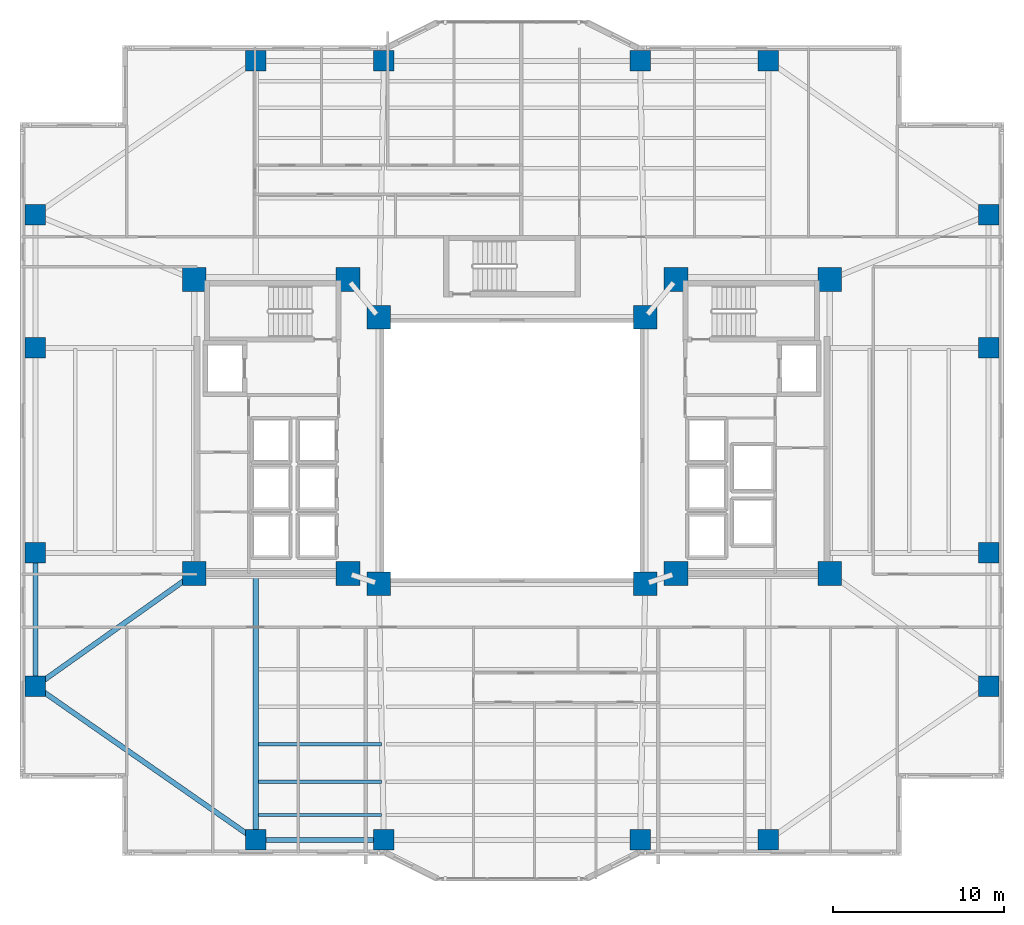
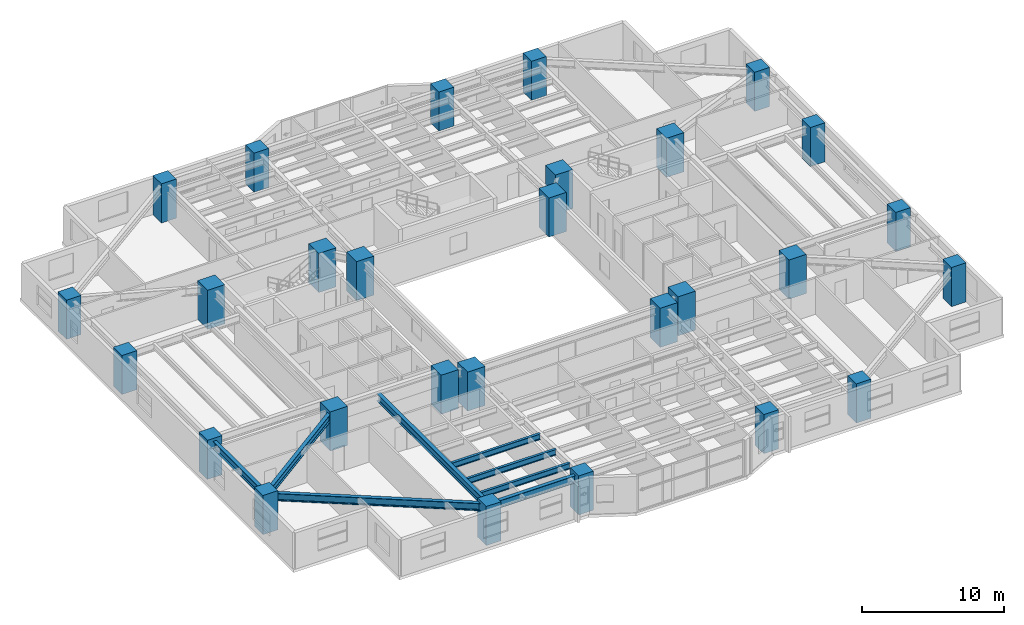
# One storey, part 1 of 19: 28 columns, 8 beams.
"""IFC4 building model written with IfcOpenShell, lengths in metres."""

from ifc_helpers import new_model, si_unit, direction, frame, origin, origin_2d, place, context, subcontext, project, spatial, rectangle, i_section, extrude, material, material_profile, profile_set, type_object, element, save


model = new_model("IFC4")

# Units and contexts
model_context = context("Model", 3, precision=1e-05, world=origin(), true_north=direction((0.0, 1.0)))
body_context = subcontext(model_context, "Body", "Model", "MODEL_VIEW")
ifc_project = project(units=[si_unit("LENGTHUNIT", "METRE"), si_unit("AREAUNIT", "SQUARE_METRE"), si_unit("VOLUMEUNIT", "CUBIC_METRE"), si_unit("PLANEANGLEUNIT", "RADIAN"), si_unit("MASSUNIT", "GRAM", prefix="KILO")], contexts=[model_context])

# Site, building, storey
site_placement = place(None, origin())
site = spatial("IfcSite", under=ifc_project, at=site_placement, CompositionType="ELEMENT")
building_placement = place(site_placement, origin())
building = spatial("IfcBuilding", under=site, at=building_placement, Name="Tarnavaz Court Tower", CompositionType="ELEMENT")
storey_placement = place(building_placement, frame((0.0, 0.0, 54.14990234375)))
storey = spatial("IfcBuildingStorey", under=building, at=storey_placement, Name="L14", CompositionType="ELEMENT", Elevation=54.14990234375)

# Columns
ifc_material_1 = material(Name="Concrete C60/75", Category="concrete")
ifc_material_profile_1 = material_profile(ifc_material_1, rectangle(XDim=1.199951171875, YDim=1.199951171875, at=origin_2d()), Name="RC 1200X1200")
ifc_profile_set_1 = profile_set([ifc_material_profile_1], Name="Concrete C60/75")
column_type_1 = type_object("IfcColumnType", Name="CL-RC1200", PredefinedType="COLUMN", material=ifc_profile_set_1)
for number, where, z_axis, x_axis, name in (
    (1, (-15.0, 22.800048828125, 0.0), (0.0, 0.0, 1.0), (1.0, 0.0, 0.0), "L14 Column PN-1"),
    (2, (-7.5, 22.800048828125, 0.0), (0.0, 0.0, 1.0), (1.0, 0.0, 0.0), "L14 Column PN-2"),
    (3, (7.5, 22.800048828125, 0.0), (0.0, 0.0, 1.0), (1.0, 0.0, 0.0), "L14 Column PN-3"),
    (4, (15.0, 22.800048828125, 0.0), (0.0, 0.0, 1.0), (1.0, 0.0, 0.0), "L14 Column PN-4"),
    (5, (-15.0, -22.800048828125, 0.0), (0.0, 0.0, 1.0), (1.0, 0.0, 0.0), "L14 Column PS-1"),
    (6, (-7.5, -22.800048828125, 0.0), (0.0, 0.0, 1.0), (1.0, 0.0, 0.0), "L14 Column PS-2"),
    (7, (7.5, -22.800048828125, 0.0), (0.0, 0.0, 1.0), (1.0, 0.0, 0.0), "L14 Column PS-3"),
    (8, (15.0, -22.800048828125, 0.0), (0.0, 0.0, 1.0), (1.0, 0.0, 0.0), "L14 Column PS-4"),
    (9, (27.89990234375, -13.800048828125, 0.0), (0.0, 0.0, 1.0), (1.0, 0.0, 0.0), "L14 Column PE-1"),
    (10, (27.89990234375, -6.0, 0.0), (0.0, 0.0, 1.0), (1.0, 0.0, 0.0), "L14 Column PE-2"),
    (11, (27.89990234375, 6.0, 0.0), (0.0, 0.0, 1.0), (1.0, 0.0, 0.0), "L14 Column PE-3"),
    (12, (27.89990234375, 13.800048828125, 0.0), (0.0, 0.0, 1.0), (1.0, 0.0, 0.0), "L14 Column PE-4"),
    (13, (-27.89990234375, -13.800048828125, 0.0), (0.0, 0.0, 1.0), (1.0, 0.0, 0.0), "L14 Column PW-1"),
    (14, (-27.89990234375, -6.0, 0.0), (0.0, 0.0, 1.0), (1.0, 0.0, 0.0), "L14 Column PW-2"),
    (15, (-27.89990234375, 6.0, 0.0), (0.0, 0.0, 1.0), (1.0, 0.0, 0.0), "L14 Column PW-3"),
    (16, (-27.89990234375, 13.800048828125, 0.0), (0.0, 0.0, 1.0), (1.0, 0.0, 0.0), "L14 Column PW-4"),
):
    element("IfcColumn", number, at=place(storey_placement, frame(where, z_axis=z_axis, x_axis=x_axis)), inside=storey, type_object=column_type_1, Name=name, PredefinedType="COLUMN", context=body_context, shape_type="SweptSolid", body=[
        extrude(rectangle(XDim=1.199951171875, YDim=1.199951171875, at=origin_2d()), origin(), (0.0, 0.0, 1.0), 3.35009765625),
    ])
ifc_material_profile_2 = material_profile(ifc_material_1, rectangle(XDim=1.39990234375, YDim=1.39990234375, at=origin_2d()), Name="RC 1400X1400")
ifc_profile_set_2 = profile_set([ifc_material_profile_2], Name="Concrete C60/75")
column_type_2 = type_object("IfcColumnType", Name="CL-RC1400", PredefinedType="COLUMN", material=ifc_profile_set_2)
for number, where, z_axis, x_axis, name in (
    (17, (-7.800048828125, -7.800048828125, 0.0), (0.0, 0.0, 1.0), (1.0, 0.0, 0.0), "L14 Column IW-SW"),
    (18, (7.800048828125, -7.800048828125, 0.0), (0.0, 0.0, 1.0), (1.0, 0.0, 0.0), "L14 Column IW-SE"),
    (19, (-7.800048828125, 7.800048828125, 0.0), (0.0, 0.0, 1.0), (1.0, 0.0, 0.0), "L14 Column IW-NW"),
    (20, (7.800048828125, 7.800048828125, 0.0), (0.0, 0.0, 1.0), (1.0, 0.0, 0.0), "L14 Column IW-NE"),
    (21, (-9.60009765625, -7.199951171875, 0.0), (0.0, 0.0, 1.0), (1.0, 0.0, 0.0), "L14 Column CW-SI"),
    (22, (-9.60009765625, 10.0, 0.0), (0.0, 0.0, 1.0), (1.0, 0.0, 0.0), "L14 Column CW-NI"),
    (23, (9.60009765625, -7.199951171875, 0.0), (0.0, 0.0, 1.0), (1.0, 0.0, 0.0), "L14 Column CE-SI"),
    (24, (9.60009765625, 10.0, 0.0), (0.0, 0.0, 1.0), (1.0, 0.0, 0.0), "L14 Column CE-NI"),
    (25, (-18.60009765625, -7.199951171875, 0.0), (0.0, 0.0, 1.0), (1.0, 0.0, 0.0), "L14 Column CW-SO"),
    (26, (-18.60009765625, 10.0, 0.0), (0.0, 0.0, 1.0), (1.0, 0.0, 0.0), "L14 Column CW-NO"),
    (27, (18.60009765625, -7.199951171875, 0.0), (0.0, 0.0, 1.0), (1.0, 0.0, 0.0), "L14 Column CE-SO"),
    (28, (18.60009765625, 10.0, 0.0), (0.0, 0.0, 1.0), (1.0, 0.0, 0.0), "L14 Column CE-NO"),
):
    element("IfcColumn", number, at=place(storey_placement, frame(where, z_axis=z_axis, x_axis=x_axis)), inside=storey, type_object=column_type_2, Name=name, PredefinedType="COLUMN", context=body_context, shape_type="SweptSolid", body=[
        extrude(rectangle(XDim=1.39990234375, YDim=1.39990234375, at=origin_2d()), origin(), (0.0, 0.0, 1.0), 3.35009765625),
    ])

# Beams
ifc_material_2 = material(Name="Steel S355", Category="steel")
ifc_material_profile_3 = material_profile(ifc_material_2, i_section(OverallWidth=0.300048828125, OverallDepth=0.64990234375, WebThickness=0.01611328125, FlangeThickness=0.031005859375, FilletRadius=0.027099609375, at=origin_2d()), Name="HEB 650")
ifc_profile_set_3 = profile_set([ifc_material_profile_3], Name="Steel S355")
beam_type_1 = type_object("IfcBeamType", Name="BM-G-HEB650", PredefinedType="USERDEFINED", material=ifc_profile_set_3)
beam_1_placement = place(storey_placement, frame((-15.0, -7.239990234375, 2.775146484375), z_axis=(0.0, -1.0, 0.0), x_axis=(1.0, 0.0, 0.0)))
element("IfcBeam", 29, at=beam_1_placement, inside=storey, type_object=beam_type_1, Name="L14 Beam RG-05", ObjectType="GIRDER", PredefinedType="USERDEFINED", context=body_context, shape_type="SweptSolid", body=[
    extrude(i_section(OverallWidth=0.300048828125, OverallDepth=0.64990234375, WebThickness=0.01611328125, FlangeThickness=0.031005859375, FilletRadius=0.027099609375, at=origin_2d()), origin(), (0.0, 0.0, 1.0), 15.340087890625),
])
beam_2_placement = place(storey_placement, frame((-18.779296875, -7.327392578125, 2.775146484375), z_axis=(-0.815520027245, -0.578728852886, 0.0), x_axis=(0.578728852886, -0.815520027245, 0.0)))
element("IfcBeam", 30, at=beam_2_placement, inside=storey, type_object=beam_type_1, Name="L14 Beam RG-15", ObjectType="GIRDER", PredefinedType="USERDEFINED", context=body_context, shape_type="SweptSolid", body=[
    extrude(i_section(OverallWidth=0.300048828125, OverallDepth=0.64990234375, WebThickness=0.01611328125, FlangeThickness=0.031005859375, FilletRadius=0.027099609375, at=origin_2d()), origin(), (0.0, 0.0, 1.0), 10.964111328125),
])
ifc_material_profile_4 = material_profile(ifc_material_2, i_section(OverallWidth=0.199951171875, OverallDepth=0.5, WebThickness=0.01025390625, FlangeThickness=0.01611328125, FilletRadius=0.02099609375, at=origin_2d()), Name="IPE 500")
ifc_profile_set_4 = profile_set([ifc_material_profile_4], Name="Steel S355")
beam_type_2 = type_object("IfcBeamType", Name="BM-J-IPE500", PredefinedType="JOIST", material=ifc_profile_set_4)
for number, where, z_axis, x_axis, name in (
    (31, (-14.85009765625, -17.18798828125, 2.85009765625), (1.0, 0.0, 0.0), (0.0, 1.0, 0.0), "L14 Beam JS3-1"),
    (32, (-14.85009765625, -19.384033203125, 2.85009765625), (1.0, 0.0, 0.0), (0.0, 1.0, 0.0), "L14 Beam JS4-1"),
    (33, (-14.85009765625, -21.3359375, 2.85009765625), (1.0, 0.0, 0.0), (0.0, 1.0, 0.0), "L14 Beam JS5-1"),
):
    element("IfcBeam", number, at=place(storey_placement, frame(where, z_axis=z_axis, x_axis=x_axis)), inside=storey, type_object=beam_type_2, Name=name, PredefinedType="JOIST", context=body_context, shape_type="SweptSolid", body=[
        extrude(i_section(OverallWidth=0.199951171875, OverallDepth=0.5, WebThickness=0.01025390625, FlangeThickness=0.01611328125, FilletRadius=0.02099609375, at=origin_2d()), origin(), (0.0, 0.0, 1.0), 7.2001953125),
    ])
ifc_material_profile_5 = material_profile(ifc_material_2, i_section(OverallWidth=0.300048828125, OverallDepth=0.639892578125, WebThickness=0.013427734375, FlangeThickness=0.02587890625, FilletRadius=0.027099609375, at=origin_2d()), Name="HEA 650")
ifc_profile_set_5 = profile_set([ifc_material_profile_5], Name="Steel S355")
beam_type_3 = type_object("IfcBeamType", Name="BM-SP-HEA650", PredefinedType="SPANDREL", material=ifc_profile_set_5)
beam_3_placement = place(storey_placement, frame((-14.780029296875, -22.800048828125, 2.780029296875), z_axis=(1.0, 0.0, 0.0), x_axis=(0.0, 1.0, 0.0)))
element("IfcBeam", 34, at=beam_3_placement, inside=storey, type_object=beam_type_3, Name="L14 Beam PR-PS-1-PS-2", PredefinedType="SPANDREL", context=body_context, shape_type="SweptSolid", body=[
    extrude(i_section(OverallWidth=0.300048828125, OverallDepth=0.639892578125, WebThickness=0.013427734375, FlangeThickness=0.02587890625, FilletRadius=0.027099609375, at=origin_2d()), origin(), (0.0, 0.0, 1.0), 7.06005859375),
])
beam_4_placement = place(storey_placement, frame((-27.89990234375, -13.580078125, 2.780029296875), z_axis=(0.0, 1.0, 0.0), x_axis=(-1.0, 0.0, 0.0)))
element("IfcBeam", 35, at=beam_4_placement, inside=storey, type_object=beam_type_3, Name="L14 Beam PR-PW-1-PW-2", PredefinedType="SPANDREL", context=body_context, shape_type="SweptSolid", body=[
    extrude(i_section(OverallWidth=0.300048828125, OverallDepth=0.639892578125, WebThickness=0.013427734375, FlangeThickness=0.02587890625, FilletRadius=0.027099609375, at=origin_2d()), origin(), (0.0, 0.0, 1.0), 7.360107421875),
])
beam_5_placement = place(storey_placement, frame((-15.180419921875, -22.674072265625, 2.780029296875), z_axis=(-0.820123643324, 0.572186341729, 0.0), x_axis=(-0.572186341729, -0.820123643324, 0.0)))
element("IfcBeam", 36, at=beam_5_placement, inside=storey, type_object=beam_type_3, Name="L14 Beam PR-PS-1-PW-1", PredefinedType="SPANDREL", context=body_context, shape_type="SweptSolid", body=[
    extrude(i_section(OverallWidth=0.300048828125, OverallDepth=0.639892578125, WebThickness=0.013427734375, FlangeThickness=0.02587890625, FilletRadius=0.027099609375, at=origin_2d()), origin(), (0.0, 0.0, 1.0), 15.289306640625),
])

save(model, "model.ifc")
